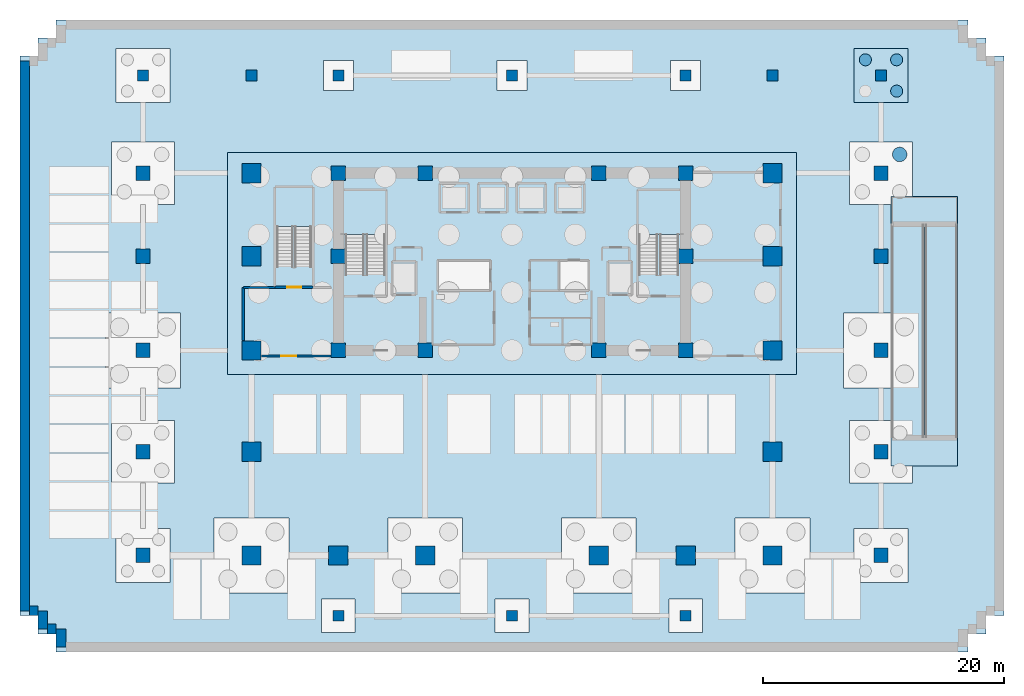
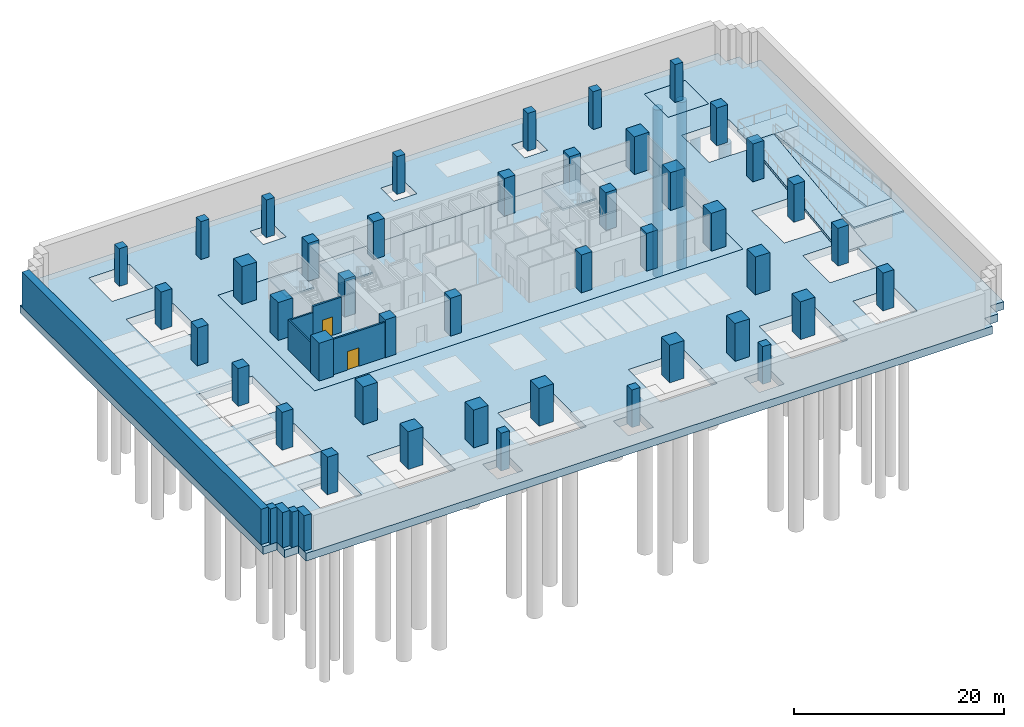
# One storey, part 2 of 13: 44 columns, 9 slabs, 9 walls, 4 piles, 2 doors, 1 footing, 2 openings, 3 elements without a shape of their own.
"""IFC4 building model written with IfcOpenShell, lengths in metres."""

import ifcopenshell
import ifcopenshell.guid

model = None  # the IFC model being written
_history = None  # IfcOwnerHistory: only IFC2X3 demands one
_inside = {}  # id of a spatial element -> (the spatial element, [elements in it])
_under = {}  # id of a project, library or spatial element -> (it, [spatial elements below it])
_declared = {}  # id of a project -> (the project, [libraries it declares])
_typed = {}  # id of a type object -> (the type object, [elements of that type])
_made_of = {}  # id of a material, layer set ... -> (it, [elements and type objects made of it])


def new_model(schema):
    """Start an empty IFC model of exactly this schema.

    Asked for "IFC4X3", IfcOpenShell would pick the latest addendum, in which some entities
    have other attributes; the version numbers below select the first issue.
    IFC2X3 requires an IfcOwnerHistory on every rooted entity: one is made here for all.
    """
    global model, _history
    if schema == "IFC4X3":
        model = ifcopenshell.file(schema_version=(4, 3, 0, 0))
    else:
        model = ifcopenshell.file(schema=schema)
    _inside.clear()
    _under.clear()
    _declared.clear()
    _typed.clear()
    _made_of.clear()
    _history = None
    if model.schema == "IFC2X3":
        org = make("IfcOrganization", Name="unknown")
        user = make(
            "IfcPersonAndOrganization",
            ThePerson=make("IfcPerson", FamilyName="unknown"),
            TheOrganization=org,
        )
        app = make(
            "IfcApplication",
            ApplicationDeveloper=org,
            Version="unknown",
            ApplicationFullName="unknown",
            ApplicationIdentifier="unknown",
        )
        _history = make(
            "IfcOwnerHistory",
            OwningUser=user,
            OwningApplication=app,
            ChangeAction="ADDED",
            CreationDate=0,
        )
    return model


def make(cls, **values):
    """One entity of the class cls with the attributes given. An attribute that is None is left unset."""
    return model.create_entity(
        cls, **{name: value for name, value in values.items() if value is not None}
    )


def rooted(cls, **values):
    """An entity with a GlobalId (a new one), such as an element, a storey or a relation."""
    return make(cls, GlobalId=ifcopenshell.guid.new(), OwnerHistory=_history, **values)


def si_unit(unit_type, name, prefix=None):
    """IfcSIUnit, for example si_unit("LENGTHUNIT", "METRE", prefix="MILLI")."""
    return make("IfcSIUnit", UnitType=unit_type, Prefix=prefix, Name=name)


def assignment(units):
    """IfcUnitAssignment: the units of a project."""
    return None if units is None else make("IfcUnitAssignment", Units=units)


def point(xyz):
    """IfcCartesianPoint."""
    return None if xyz is None else make("IfcCartesianPoint", Coordinates=xyz)


def direction(xyz):
    """IfcDirection."""
    return None if xyz is None else make("IfcDirection", DirectionRatios=xyz)


def frame(location, z_axis=None, x_axis=None):
    """IfcAxis2Placement3D, a coordinate frame: its origin and axes. An axis left out is left unset."""
    return make(
        "IfcAxis2Placement3D",
        Location=point(location),
        Axis=direction(z_axis),
        RefDirection=direction(x_axis),
    )


def frame_2d(location, x_axis=None):
    """IfcAxis2Placement2D, a coordinate frame in the plane: its origin and x axis."""
    return make(
        "IfcAxis2Placement2D", Location=point(location), RefDirection=direction(x_axis)
    )


def origin():
    """The frame at (0, 0, 0) with its axes left unset."""
    return frame((0.0, 0.0, 0.0))


def origin_2d():
    """The frame at (0, 0) in the plane with its x axis left unset."""
    return frame_2d((0.0, 0.0))


def place(relative_to, where):
    """IfcLocalPlacement: puts the frame where relative to a parent placement (None: the world)."""
    return make(
        "IfcLocalPlacement", PlacementRelTo=relative_to, RelativePlacement=where
    )


def context(
    kind, dimensions, precision=None, world=None, true_north=None, identifier=None
):
    """IfcGeometricRepresentationContext, for example the 3D "Model" context."""
    return make(
        "IfcGeometricRepresentationContext",
        ContextIdentifier=identifier,
        ContextType=kind,
        CoordinateSpaceDimension=dimensions,
        Precision=precision,
        WorldCoordinateSystem=world,
        TrueNorth=true_north,
    )


def subcontext(parent, identifier, kind, view, scale=None):
    """IfcGeometricRepresentationSubContext, for example "Body" below "Model"."""
    return make(
        "IfcGeometricRepresentationSubContext",
        ContextIdentifier=identifier,
        ContextType=kind,
        ParentContext=parent,
        TargetScale=scale,
        TargetView=view,
    )


def project(units=None, contexts=None):
    """IfcProject with its units and contexts."""
    return rooted(
        "IfcProject",
        Name="project",
        RepresentationContexts=contexts,
        UnitsInContext=assignment(units),
    )


def spatial(cls, under=None, at=None, **own):
    """A site, building, storey or space (cls), placed at a placement, below another one or the project."""
    s = rooted(cls, ObjectPlacement=at, **own)
    if under is not None:
        _under.setdefault(under.id(), (under, []))[1].append(s)
    return s


def polyline(points):
    """IfcPolyline through the points."""
    return make("IfcPolyline", Points=[point(p) for p in points])


def profile(cls, at=None, kind="AREA", **sizes):
    """A parametric profile (cls). Its sizes go by their IFC names, for example OverallWidth=200.0."""
    return make(cls, ProfileType=kind, Position=at, **sizes)


def rectangle(**sizes):
    """IfcRectangleProfileDef."""
    return profile("IfcRectangleProfileDef", **sizes)


def circle(**sizes):
    """IfcCircleProfileDef."""
    return profile("IfcCircleProfileDef", **sizes)


def outline(outer, holes=None, kind="AREA"):
    """IfcArbitraryClosedProfileDef: a profile drawn as a closed curve; with holes, ...WithVoids."""
    if holes is None:
        return make("IfcArbitraryClosedProfileDef", ProfileType=kind, OuterCurve=outer)
    return make(
        "IfcArbitraryProfileDefWithVoids",
        ProfileType=kind,
        OuterCurve=outer,
        InnerCurves=holes,
    )


def extrude(swept, where, along, depth):
    """IfcExtrudedAreaSolid: the profile swept, set in the frame where, extruded along a direction by depth."""
    return make(
        "IfcExtrudedAreaSolid",
        SweptArea=swept,
        Position=where,
        ExtrudedDirection=direction(along),
        Depth=depth,
    )


def shape(context_of_items, identifier, shape_type, items):
    """IfcShapeRepresentation: the items that make up one representation, for example the "Body"."""
    return make(
        "IfcShapeRepresentation",
        ContextOfItems=context_of_items,
        RepresentationIdentifier=identifier,
        RepresentationType=shape_type,
        Items=items,
    )


def source(mapping_origin, context_of_items, identifier, shape_type, items):
    """IfcRepresentationMap: a shape defined once, which mapped items show again and again."""
    return make(
        "IfcRepresentationMap",
        MappingOrigin=mapping_origin,
        MappedRepresentation=shape(context_of_items, identifier, shape_type, items),
    )


def transform(
    local_origin,
    x_axis=None,
    y_axis=None,
    z_axis=None,
    scale=None,
    scale2=None,
    scale3=None,
    uniform=True,
):
    """IfcCartesianTransformationOperator3D, or its non-uniform kind. x_axis, y_axis, z_axis: its Axis1, 2, 3."""
    if uniform:
        return make(
            "IfcCartesianTransformationOperator3D",
            Axis1=direction(x_axis),
            Axis2=direction(y_axis),
            LocalOrigin=point(local_origin),
            Scale=scale,
            Axis3=direction(z_axis),
        )
    return make(
        "IfcCartesianTransformationOperator3DnonUniform",
        Axis1=direction(x_axis),
        Axis2=direction(y_axis),
        LocalOrigin=point(local_origin),
        Scale=scale,
        Axis3=direction(z_axis),
        Scale2=scale2,
        Scale3=scale3,
    )


def mapped(mapping_source, mapping_target):
    """IfcMappedItem: shows the shape of a source again, moved by a transform."""
    return make(
        "IfcMappedItem", MappingSource=mapping_source, MappingTarget=mapping_target
    )


def material(Name=None, Category=None):
    """IfcMaterial."""
    return make("IfcMaterial", Name=Name, Category=Category)


def layer(
    of_material, thickness, ventilated=None, Name=None, Category=None, Priority=None
):
    """IfcMaterialLayer: one layer of a wall or slab, of a material (None: an air gap)."""
    return make(
        "IfcMaterialLayer",
        Material=of_material,
        LayerThickness=thickness,
        IsVentilated=ventilated,
        Name=Name,
        Category=Category,
        Priority=Priority,
    )


def layer_set(layers, Name=None):
    """IfcMaterialLayerSet."""
    return make("IfcMaterialLayerSet", MaterialLayers=layers, LayerSetName=Name)


def material_profile(
    of_material, cross_section, Name=None, Category=None, Priority=None
):
    """IfcMaterialProfile: a cross section and its material."""
    return make(
        "IfcMaterialProfile",
        Name=Name,
        Material=of_material,
        Profile=cross_section,
        Priority=Priority,
        Category=Category,
    )


def profile_set(profiles, Name=None, composite=None):
    """IfcMaterialProfileSet."""
    return make(
        "IfcMaterialProfileSet",
        Name=Name,
        MaterialProfiles=profiles,
        CompositeProfile=composite,
    )


def made_of(thing, what):
    """Note that an element or type object is made of a material, layer set ...; save() writes the relation."""
    if what is not None:
        _made_of.setdefault(what.id(), (what, []))[1].append(thing)
    return thing


def type_object(cls, material=None, **own):
    """A type object (cls), such as IfcWallType, which elements share."""
    return made_of(rooted(cls, **own), material)


def element(
    cls,
    number,
    at=None,
    inside=None,
    cuts=None,
    type_object=None,
    material=None,
    context=None,
    identifier="Body",
    shape_type=None,
    held_by="IfcProductDefinitionShape",
    body=None,
    shapes=None,
    **own,
):
    """One element of the class cls, such as IfcWall. Its Tag is "e" and its number.

    at: its placement. inside: the storey or other place that contains it. cuts: it is an
    opening in that element (IfcRelVoidsElement). A single representation is given by context,
    identifier, shape_type and body (its items); several are given by shapes. held_by: the class
    of the entity that holds the representations. save() writes the other relations.
    """
    e = rooted(cls, Tag="e%d" % number, ObjectPlacement=at, **own)
    if body is not None:
        shapes = [shape(context, identifier, shape_type, body)]
    if shapes is not None:
        e.Representation = make(held_by, Representations=shapes)
    if inside is not None:
        _inside.setdefault(inside.id(), (inside, []))[1].append(e)
    if cuts is not None:
        rooted(
            "IfcRelVoidsElement", RelatingBuildingElement=cuts, RelatedOpeningElement=e
        )
    if type_object is not None:
        _typed.setdefault(type_object.id(), (type_object, []))[1].append(e)
    return made_of(e, material)


def fill(opening, filler):
    """IfcRelFillsElement: the door or window that sits in an opening."""
    return rooted(
        "IfcRelFillsElement",
        RelatingOpeningElement=opening,
        RelatedBuildingElement=filler,
    )


def aggregate(whole, parts):
    """IfcRelAggregates: a whole, such as a stair, and the parts it consists of."""
    return rooted("IfcRelAggregates", RelatingObject=whole, RelatedObjects=parts)


def save(model, path):
    """Write the relations noted so far, then the file.

    IfcRelAggregates (storeys below a building ...), IfcRelContainedInSpatialStructure (elements
    in a storey), IfcRelDefinesByType, IfcRelAssociatesMaterial and IfcRelDeclares: one each for
    every whole, place, type object, material and project.
    """
    for whole, parts in _under.values():
        aggregate(whole, parts)
    for where, things in _inside.values():
        rooted(
            "IfcRelContainedInSpatialStructure",
            RelatedElements=things,
            RelatingStructure=where,
        )
    for kind, things in _typed.values():
        rooted("IfcRelDefinesByType", RelatedObjects=things, RelatingType=kind)
    for what, things in _made_of.values():
        rooted("IfcRelAssociatesMaterial", RelatedObjects=things, RelatingMaterial=what)
    for by, libraries in _declared.values():
        rooted("IfcRelDeclares", RelatingContext=by, RelatedDefinitions=libraries)
    model.write(path)


model = new_model("IFC4")

# Units and contexts
model_context = context("Model", 3, precision=1e-05, world=origin(), true_north=direction((0.0, 1.0)))
body_context = subcontext(model_context, "Body", "Model", "MODEL_VIEW")
ifc_project = project(units=[si_unit("LENGTHUNIT", "METRE"), si_unit("AREAUNIT", "SQUARE_METRE"), si_unit("VOLUMEUNIT", "CUBIC_METRE"), si_unit("PLANEANGLEUNIT", "RADIAN"), si_unit("MASSUNIT", "GRAM", prefix="KILO")], contexts=[model_context])

# Site, building, storey
site_placement = place(None, origin())
site = spatial("IfcSite", under=ifc_project, at=site_placement, CompositionType="ELEMENT")
building_placement = place(site_placement, origin())
building = spatial("IfcBuilding", under=site, at=building_placement, Name="Zarnakvel Exchange Tower", CompositionType="ELEMENT")
storey_placement = place(building_placement, frame((0.0, 0.0, -13.199951171875)))
storey = spatial("IfcBuildingStorey", under=building, at=storey_placement, Name="B03", CompositionType="ELEMENT", Elevation=-13.199951171875)

# Piles
ifc_material_1 = material(Name="Concrete C50/60", Category="concrete")
ifc_material_profile_1 = material_profile(ifc_material_1, circle(Radius=0.60009765625, at=origin_2d()))
ifc_profile_set_1 = profile_set([ifc_material_profile_1], Name="Concrete C50/60")
pile_type_1 = type_object("IfcPileType", Name="P-03", PredefinedType="BORED", material=ifc_profile_set_1)
pile_placement = place(storey_placement, frame((32.14990234375, 15.050048828125, -1.5), z_axis=(0.0, 0.0, -1.0), x_axis=(1.0, 0.0, 0.0)))
element("IfcPile", 1, at=pile_placement, inside=storey, type_object=pile_type_1, Name="Bored Pile PILE-CAP-10-4 (P-03)", PredefinedType="BORED", context=body_context, shape_type="SweptSolid", body=[
    extrude(circle(Radius=0.60009765625, at=origin_2d()), origin(), (0.0, 0.0, 1.0), 19.300048828125),
])
ifc_material_profile_2 = material_profile(ifc_material_1, circle(Radius=0.5, at=origin_2d()))
ifc_profile_set_2 = profile_set([ifc_material_profile_2], Name="Concrete C50/60")
pile_type_2 = type_object("IfcPileType", Name="P-04", PredefinedType="BORED", material=ifc_profile_set_2)
for number, where, z_axis, x_axis, name in (
    (2, (29.300048828125, 22.89990234375, -1.300048828125), (0.0, 0.0, -1.0), (1.0, 0.0, 0.0), "Bored Pile PILE-CAP-14-2 (P-04)"),
    (3, (31.89990234375, 20.300048828125, -1.300048828125), (0.0, 0.0, -1.0), (1.0, 0.0, 0.0), "Bored Pile PILE-CAP-14-3 (P-04)"),
    (4, (31.89990234375, 22.89990234375, -1.300048828125), (0.0, 0.0, -1.0), (1.0, 0.0, 0.0), "Bored Pile PILE-CAP-14-4 (P-04)"),
):
    element("IfcPile", number, at=place(storey_placement, frame(where, z_axis=z_axis, x_axis=x_axis)), inside=storey, type_object=pile_type_2, Name=name, PredefinedType="BORED", context=body_context, shape_type="SweptSolid", body=[
        extrude(circle(Radius=0.5, at=origin_2d()), origin(), (0.0, 0.0, 1.0), 19.5),
    ])

# Footing
footing_type = type_object("IfcFootingType", Name="PC-06", PredefinedType="PILE_CAP", material=ifc_material_1)
shared_shape_1 = source(origin(), body_context, "Body", "SweptSolid", [
    extrude(rectangle(XDim=4.5, YDim=4.5, at=origin_2d()), origin(), (0.0, 0.0, 1.0), 1.39990234375),
])
footing_placement = place(storey_placement, frame((30.60009765625, 21.60009765625, -1.39990234375), z_axis=(0.0, 0.0, 1.0), x_axis=(1.0, 0.0, 0.0)))
element("IfcFooting", 5, at=footing_placement, inside=storey, type_object=footing_type, Name="B03 Pile Cap CAP-14 (PC-06)", PredefinedType="PILE_CAP", context=body_context, shape_type="MappedRepresentation", body=[
    mapped(shared_shape_1, transform((0.0, 0.0, 0.0), x_axis=(1.0, 0.0, 0.0), y_axis=(0.0, 1.0, 0.0), z_axis=(0.0, 0.0, 1.0), scale=1.0)),
])

# Columns
ifc_material_2 = material(Name="Concrete C80/95", Category="concrete")
ifc_material_profile_3 = material_profile(ifc_material_2, rectangle(XDim=1.199951171875, YDim=1.199951171875, at=origin_2d()))
ifc_profile_set_3 = profile_set([ifc_material_profile_3], Name="Concrete C80/95")
column_type_1 = type_object("IfcColumnType", Name="CC-01", PredefinedType="COLUMN", material=ifc_profile_set_3)
for number, where, z_axis, x_axis, name in (
    (6, (-14.39990234375, -1.199951171875, 0.0), (0.0, 0.0, 1.0), (1.0, 0.0, 0.0), "B03 Column C-4D (CC-01)"),
    (7, (-7.199951171875, -1.199951171875, 0.0), (0.0, 0.0, 1.0), (1.0, 0.0, 0.0), "B03 Column C-5D (CC-01)"),
    (8, (7.199951171875, -1.199951171875, 0.0), (0.0, 0.0, 1.0), (1.0, 0.0, 0.0), "B03 Column C-8D (CC-01)"),
    (9, (14.39990234375, -1.199951171875, 0.0), (0.0, 0.0, 1.0), (1.0, 0.0, 0.0), "B03 Column C-9D (CC-01)"),
    (10, (-14.39990234375, 6.60009765625, 0.0), (0.0, 0.0, 1.0), (1.0, 0.0, 0.0), "B03 Column C-4E (CC-01)"),
    (11, (14.39990234375, 6.60009765625, 0.0), (0.0, 0.0, 1.0), (1.0, 0.0, 0.0), "B03 Column C-9E (CC-01)"),
    (12, (-14.39990234375, 13.5, 0.0), (0.0, 0.0, 1.0), (1.0, 0.0, 0.0), "B03 Column C-4F (CC-01)"),
    (13, (-7.199951171875, 13.5, 0.0), (0.0, 0.0, 1.0), (1.0, 0.0, 0.0), "B03 Column C-5F (CC-01)"),
    (14, (7.199951171875, 13.5, 0.0), (0.0, 0.0, 1.0), (1.0, 0.0, 0.0), "B03 Column C-8F (CC-01)"),
    (15, (14.39990234375, 13.5, 0.0), (0.0, 0.0, 1.0), (1.0, 0.0, 0.0), "B03 Column C-9F (CC-01)"),
):
    element("IfcColumn", number, at=place(storey_placement, frame(where, z_axis=z_axis, x_axis=x_axis)), inside=storey, type_object=column_type_1, Name=name, PredefinedType="COLUMN", context=body_context, shape_type="SweptSolid", body=[
        extrude(rectangle(XDim=1.199951171875, YDim=1.199951171875, at=origin_2d()), origin(), (0.0, 0.0, 1.0), 4.39990234375),
    ])
ifc_material_profile_4 = material_profile(ifc_material_2, rectangle(XDim=1.60009765625, YDim=1.60009765625, at=origin_2d()))
ifc_profile_set_4 = profile_set([ifc_material_profile_4], Name="Concrete C80/95")
column_type_2 = type_object("IfcColumnType", Name="MC-01", PredefinedType="COLUMN", material=ifc_profile_set_4)
for number, where, z_axis, x_axis, name in (
    (16, (-21.60009765625, -18.199951171875, 0.0), (0.0, 0.0, 1.0), (1.0, 0.0, 0.0), "B03 Column M-3B (MC-01)"),
    (17, (-14.39990234375, -18.199951171875, 0.0), (0.0, 0.0, 1.0), (1.0, 0.0, 0.0), "B03 Column M-4B (MC-01)"),
    (18, (-7.199951171875, -18.199951171875, 0.0), (0.0, 0.0, 1.0), (1.0, 0.0, 0.0), "B03 Column M-5B (MC-01)"),
    (19, (7.199951171875, -18.199951171875, 0.0), (0.0, 0.0, 1.0), (1.0, 0.0, 0.0), "B03 Column M-8B (MC-01)"),
    (20, (14.39990234375, -18.199951171875, 0.0), (0.0, 0.0, 1.0), (1.0, 0.0, 0.0), "B03 Column M-9B (MC-01)"),
    (21, (21.60009765625, -18.199951171875, 0.0), (0.0, 0.0, 1.0), (1.0, 0.0, 0.0), "B03 Column M-10B (MC-01)"),
    (22, (-21.60009765625, -9.60009765625, 0.0), (0.0, 0.0, 1.0), (1.0, 0.0, 0.0), "B03 Column M-3C (MC-01)"),
    (23, (21.60009765625, -9.60009765625, 0.0), (0.0, 0.0, 1.0), (1.0, 0.0, 0.0), "B03 Column M-10C (MC-01)"),
    (24, (-21.60009765625, -1.199951171875, 0.0), (0.0, 0.0, 1.0), (1.0, 0.0, 0.0), "B03 Column M-3D (MC-01)"),
    (25, (21.60009765625, -1.199951171875, 0.0), (0.0, 0.0, 1.0), (1.0, 0.0, 0.0), "B03 Column M-10D (MC-01)"),
    (26, (-21.60009765625, 6.60009765625, 0.0), (0.0, 0.0, 1.0), (1.0, 0.0, 0.0), "B03 Column M-3E (MC-01)"),
    (27, (21.60009765625, 6.60009765625, 0.0), (0.0, 0.0, 1.0), (1.0, 0.0, 0.0), "B03 Column M-10E (MC-01)"),
    (28, (-21.60009765625, 13.5, 0.0), (0.0, 0.0, 1.0), (1.0, 0.0, 0.0), "B03 Column M-3F (MC-01)"),
    (29, (21.60009765625, 13.5, 0.0), (0.0, 0.0, 1.0), (1.0, 0.0, 0.0), "B03 Column M-10F (MC-01)"),
):
    element("IfcColumn", number, at=place(storey_placement, frame(where, z_axis=z_axis, x_axis=x_axis)), inside=storey, type_object=column_type_2, Name=name, PredefinedType="COLUMN", context=body_context, shape_type="SweptSolid", body=[
        extrude(rectangle(XDim=1.60009765625, YDim=1.60009765625, at=origin_2d()), origin(), (0.0, 0.0, 1.0), 4.39990234375),
    ])
ifc_material_profile_5 = material_profile(ifc_material_2, rectangle(XDim=1.199951171875, YDim=1.199951171875, at=origin_2d()))
ifc_profile_set_5 = profile_set([ifc_material_profile_5], Name="Concrete C80/95")
column_type_3 = type_object("IfcColumnType", Name="MC-03", PredefinedType="COLUMN", material=ifc_profile_set_5)
for number, where, z_axis, x_axis, name in (
    (30, (-30.60009765625, -18.199951171875, 0.0), (0.0, 0.0, 1.0), (1.0, 0.0, 0.0), "B03 Column W-2B (MC-03)"),
    (31, (-30.60009765625, -9.60009765625, 0.0), (0.0, 0.0, 1.0), (1.0, 0.0, 0.0), "B03 Column W-2C (MC-03)"),
    (32, (-30.60009765625, -1.199951171875, 0.0), (0.0, 0.0, 1.0), (1.0, 0.0, 0.0), "B03 Column W-2D (MC-03)"),
    (33, (-30.60009765625, 6.60009765625, 0.0), (0.0, 0.0, 1.0), (1.0, 0.0, 0.0), "B03 Column W-2E (MC-03)"),
    (34, (-30.60009765625, 13.5, 0.0), (0.0, 0.0, 1.0), (1.0, 0.0, 0.0), "B03 Column W-2F (MC-03)"),
    (35, (30.60009765625, -18.199951171875, 0.0), (0.0, 0.0, 1.0), (1.0, 0.0, 0.0), "B03 Column W-11B (MC-03)"),
    (36, (30.60009765625, -9.60009765625, 0.0), (0.0, 0.0, 1.0), (1.0, 0.0, 0.0), "B03 Column W-11C (MC-03)"),
    (37, (30.60009765625, -1.199951171875, 0.0), (0.0, 0.0, 1.0), (1.0, 0.0, 0.0), "B03 Column W-11D (MC-03)"),
    (38, (30.60009765625, 6.60009765625, 0.0), (0.0, 0.0, 1.0), (1.0, 0.0, 0.0), "B03 Column W-11E (MC-03)"),
    (39, (30.60009765625, 13.5, 0.0), (0.0, 0.0, 1.0), (1.0, 0.0, 0.0), "B03 Column W-11F (MC-03)"),
):
    element("IfcColumn", number, at=place(storey_placement, frame(where, z_axis=z_axis, x_axis=x_axis)), inside=storey, type_object=column_type_3, Name=name, PredefinedType="COLUMN", context=body_context, shape_type="SweptSolid", body=[
        extrude(rectangle(XDim=1.199951171875, YDim=1.199951171875, at=origin_2d()), origin(), (0.0, 0.0, 1.0), 4.39990234375),
    ])
ifc_material_profile_6 = material_profile(ifc_material_1, rectangle(XDim=0.89990234375, YDim=0.89990234375, at=origin_2d()))
ifc_profile_set_6 = profile_set([ifc_material_profile_6], Name="Concrete C50/60")
column_type_4 = type_object("IfcColumnType", Name="MC-04", PredefinedType="COLUMN", material=ifc_profile_set_6)
for number, where, z_axis, x_axis, name in (
    (40, (-30.60009765625, 21.60009765625, 0.0), (0.0, 0.0, 1.0), (1.0, 0.0, 0.0), "B03 Column P-2G (MC-04)"),
    (41, (30.60009765625, 21.60009765625, 0.0), (0.0, 0.0, 1.0), (1.0, 0.0, 0.0), "B03 Column P-11G (MC-04)"),
    (42, (-21.60009765625, 21.60009765625, 0.0), (0.0, 0.0, 1.0), (1.0, 0.0, 0.0), "B03 Column P-3G (MC-04)"),
    (43, (21.60009765625, 21.60009765625, 0.0), (0.0, 0.0, 1.0), (1.0, 0.0, 0.0), "B03 Column P-10G (MC-04)"),
    (44, (-14.39990234375, -23.199951171875, 0.0), (0.0, 0.0, 1.0), (1.0, 0.0, 0.0), "B03 Column P-4A (MC-04)"),
    (45, (0.0, -23.199951171875, 0.0), (0.0, 0.0, 1.0), (1.0, 0.0, 0.0), "B03 Column P-65A (MC-04)"),
    (46, (14.39990234375, -23.199951171875, 0.0), (0.0, 0.0, 1.0), (1.0, 0.0, 0.0), "B03 Column P-9A (MC-04)"),
    (47, (-14.39990234375, 21.60009765625, 0.0), (0.0, 0.0, 1.0), (1.0, 0.0, 0.0), "B03 Column P-4G (MC-04)"),
    (48, (0.0, 21.60009765625, 0.0), (0.0, 0.0, 1.0), (1.0, 0.0, 0.0), "B03 Column P-65G (MC-04)"),
    (49, (14.39990234375, 21.60009765625, 0.0), (0.0, 0.0, 1.0), (1.0, 0.0, 0.0), "B03 Column P-9G (MC-04)"),
):
    element("IfcColumn", number, at=place(storey_placement, frame(where, z_axis=z_axis, x_axis=x_axis)), inside=storey, type_object=column_type_4, Name=name, PredefinedType="COLUMN", context=body_context, shape_type="SweptSolid", body=[
        extrude(rectangle(XDim=0.89990234375, YDim=0.89990234375, at=origin_2d()), origin(), (0.0, 0.0, 1.0), 4.39990234375),
    ])

# Slab
ifc_layer_1 = layer(ifc_material_1, 0.89990234375)
ifc_layer_set_1 = layer_set([ifc_layer_1], Name="Concrete C50/60")
slab_type_1 = type_object("IfcSlabType", Name="BS-01", PredefinedType="BASESLAB", material=ifc_layer_set_1)
slab_1_placement = place(storey_placement, frame((0.0, 0.0, -0.900146484375)))
element("IfcSlab", 50, at=slab_1_placement, inside=storey, type_object=slab_type_1, Name="B03 Substructure Base Slab SLAB-B03-BS01", PredefinedType="BASESLAB", context=body_context, shape_type="SweptSolid", body=[
    extrude(outline(polyline([(-40.800048828125, 23.199951171875), (-39.300048828125, 23.199951171875), (-39.300048828125, 24.699951171875), (-37.800048828125, 24.699951171875), (-37.800048828125, 26.199951171875), (37.800048828125, 26.199951171875), (37.800048828125, 24.699951171875), (39.300048828125, 24.699951171875), (39.300048828125, 23.199951171875), (40.800048828125, 23.199951171875), (40.800048828125, -23.199951171875), (39.300048828125, -23.199951171875), (39.300048828125, -24.699951171875), (37.800048828125, -24.699951171875), (37.800048828125, -26.199951171875), (-37.800048828125, -26.199951171875), (-37.800048828125, -24.699951171875), (-39.300048828125, -24.699951171875), (-39.300048828125, -23.199951171875), (-40.800048828125, -23.199951171875), (-40.800048828125, 23.199951171875)]), holes=[polyline([(-13.0, -21.800048828125), (-15.800048828125, -21.800048828125), (-15.800048828125, -24.60009765625), (-13.0, -24.60009765625), (-13.0, -21.800048828125)]), polyline([(1.39990234375, -21.800048828125), (-1.39990234375, -21.800048828125), (-1.39990234375, -24.60009765625), (1.39990234375, -24.60009765625), (1.39990234375, -21.800048828125)]), polyline([(-28.35009765625, -15.949951171875), (-32.85009765625, -15.949951171875), (-32.85009765625, -20.449951171875), (-28.35009765625, -20.449951171875), (-28.35009765625, -15.949951171875)]), polyline([(-18.5, -21.300048828125), (-18.5, -15.10009765625), (-24.699951171875, -15.10009765625), (-24.699951171875, -21.300048828125), (-18.5, -21.300048828125)]), polyline([(-4.10009765625, -21.300048828125), (-4.10009765625, -15.10009765625), (-10.300048828125, -15.10009765625), (-10.300048828125, -21.300048828125), (-4.10009765625, -21.300048828125)]), polyline([(-28.0, -7.0), (-33.199951171875, -7.0), (-33.199951171875, -12.199951171875), (-28.0, -12.199951171875), (-28.0, -7.0)]), polyline([(-27.5, -4.300048828125), (-27.5, 1.89990234375), (-33.699951171875, 1.89990234375), (-33.699951171875, -4.300048828125), (-27.5, -4.300048828125)]), polyline([(23.60009765625, -3.199951171875), (23.60009765625, 15.199951171875), (-23.60009765625, 15.199951171875), (-23.60009765625, -3.199951171875), (23.60009765625, -3.199951171875)]), polyline([(-28.0, 16.10009765625), (-33.199951171875, 16.10009765625), (-33.199951171875, 10.89990234375), (-28.0, 10.89990234375), (-28.0, 16.10009765625)]), polyline([(-28.35009765625, 19.35009765625), (-28.35009765625, 23.85009765625), (-32.85009765625, 23.85009765625), (-32.85009765625, 19.35009765625), (-28.35009765625, 19.35009765625)]), polyline([(-13.14990234375, 20.35009765625), (-13.14990234375, 22.85009765625), (-15.64990234375, 22.85009765625), (-15.64990234375, 20.35009765625), (-13.14990234375, 20.35009765625)]), polyline([(15.800048828125, -21.800048828125), (13.0, -21.800048828125), (13.0, -24.60009765625), (15.800048828125, -24.60009765625), (15.800048828125, -21.800048828125)]), polyline([(10.300048828125, -15.10009765625), (4.10009765625, -15.10009765625), (4.10009765625, -21.300048828125), (10.300048828125, -21.300048828125), (10.300048828125, -15.10009765625)]), polyline([(24.699951171875, -15.10009765625), (18.5, -15.10009765625), (18.5, -21.300048828125), (24.699951171875, -21.300048828125), (24.699951171875, -15.10009765625)]), polyline([(32.85009765625, -20.449951171875), (32.85009765625, -15.949951171875), (28.35009765625, -15.949951171875), (28.35009765625, -20.449951171875), (32.85009765625, -20.449951171875)]), polyline([(33.199951171875, -12.199951171875), (33.199951171875, -8.449951171875), (34.179931640625, -8.449951171875), (34.179931640625, -5.85009765625), (31.419921875, -5.85009765625), (31.419921875, -7.0), (28.0, -7.0), (28.0, -12.199951171875), (33.199951171875, -12.199951171875)]), polyline([(33.699951171875, -4.300048828125), (33.699951171875, 1.89990234375), (27.5, 1.89990234375), (27.5, -4.300048828125), (33.699951171875, -4.300048828125)]), polyline([(33.199951171875, 10.89990234375), (33.199951171875, 16.10009765625), (28.0, 16.10009765625), (28.0, 10.89990234375), (33.199951171875, 10.89990234375)]), polyline([(1.25, 22.85009765625), (-1.25, 22.85009765625), (-1.25, 20.35009765625), (1.25, 20.35009765625), (1.25, 22.85009765625)]), polyline([(15.64990234375, 20.35009765625), (15.64990234375, 22.85009765625), (13.14990234375, 22.85009765625), (13.14990234375, 20.35009765625), (15.64990234375, 20.35009765625)]), polyline([(32.85009765625, 19.35009765625), (32.85009765625, 23.85009765625), (28.35009765625, 23.85009765625), (28.35009765625, 19.35009765625), (32.85009765625, 19.35009765625)])]), origin(), (0.0, 0.0, 1.0), 0.900146484375),
])

# Stair, slab
ifc_material_3 = material(Name="Concrete C40/50", Category="concrete")
stair_type_1 = type_object("IfcStairType", Name="STR-01", PredefinedType="HALF_TURN_STAIR", material=ifc_material_3)
stair_1_placement = place(storey_placement, origin())
stair_1 = element("IfcStair", 51, at=stair_1_placement, inside=storey, type_object=stair_type_1, Name="B03 Protected Core Exit Stair ST-01", PredefinedType="HALF_TURN_STAIR")
ifc_layer_2 = layer(ifc_material_3, 0.199951171875)
ifc_layer_set_2 = layer_set([ifc_layer_2], Name="Concrete C40/50")
slab_type_2 = type_object("IfcSlabType", Name="LDG-01", PredefinedType="LANDING", material=ifc_layer_set_2)
slab_2_placement = place(storey_placement, frame((0.0, 0.0, 2.0)))
slab_2 = element("IfcSlab", 52, at=slab_2_placement, type_object=slab_type_2, Name="ST-01 landing 1", PredefinedType="LANDING", context=body_context, shape_type="SweptSolid", body=[
    extrude(outline(polyline([(-14.18994140625, 8.409912109375), (-10.4599609375, 8.409912109375), (-10.4599609375, 12.080078125), (-14.18994140625, 12.080078125), (-14.18994140625, 8.409912109375)])), origin(), (0.0, 0.0, 1.0), 0.199951171875),
])
aggregate(stair_1, [slab_2])

stair_2_placement = place(storey_placement, origin())
stair_2 = element("IfcStair", 53, at=stair_2_placement, inside=storey, type_object=stair_type_1, Name="B03 Protected Core Exit Stair ST-02", PredefinedType="HALF_TURN_STAIR")
slab_3_placement = place(storey_placement, frame((0.0, 0.0, 2.0)))
slab_3 = element("IfcSlab", 54, at=slab_3_placement, type_object=slab_type_2, Name="ST-02 landing 1", PredefinedType="LANDING", context=body_context, shape_type="SweptSolid", body=[
    extrude(outline(polyline([(10.4599609375, 8.409912109375), (14.18994140625, 8.409912109375), (14.18994140625, 12.080078125), (10.4599609375, 12.080078125), (10.4599609375, 8.409912109375)])), origin(), (0.0, 0.0, 1.0), 0.199951171875),
])
aggregate(stair_2, [slab_3])

stair_type_2 = type_object("IfcStairType", Name="STR-03", PredefinedType="HALF_TURN_STAIR", material=ifc_material_3)
stair_3_placement = place(storey_placement, origin())
stair_3 = element("IfcStair", 55, at=stair_3_placement, inside=storey, type_object=stair_type_2, Name="B03 Substructure Car Park Exit Stair ST-05", PredefinedType="HALF_TURN_STAIR")
slab_4_placement = place(storey_placement, frame((0.0, 0.0, 2.0)))
slab_4 = element("IfcSlab", 56, at=slab_4_placement, type_object=slab_type_2, Name="ST-05 landing 1", PredefinedType="LANDING", context=body_context, shape_type="SweptSolid", body=[
    extrude(outline(polyline([(-19.60009765625, 9.06005859375), (-16.5400390625, 9.06005859375), (-16.5400390625, 12.300048828125), (-19.60009765625, 12.300048828125), (-19.60009765625, 9.06005859375)])), origin(), (0.0, 0.0, 1.0), 0.199951171875),
])
aggregate(stair_3, [slab_4])

# Slabs
slab_5_placement = place(storey_placement, frame((0.0, 0.0, 2.0)))
element("IfcSlab", 57, at=slab_5_placement, inside=storey, type_object=slab_type_2, Name="B03 Car Park Vehicular Ramp R-01 Mid Landing", PredefinedType="LANDING", context=body_context, shape_type="SweptSolid", body=[
    extrude(outline(polyline([(31.449951171875, 9.199951171875), (36.949951171875, 9.199951171875), (36.949951171875, 11.550048828125), (31.449951171875, 11.550048828125), (31.449951171875, 9.199951171875)])), origin(), (0.0, 0.0, 1.0), 0.199951171875),
])
slab_6_placement = place(storey_placement, frame((0.0, 0.0, 4.199951171875)))
element("IfcSlab", 58, at=slab_6_placement, inside=storey, type_object=slab_type_2, Name="B03 Car Park Vehicular Ramp R-01 Top Landing", PredefinedType="LANDING", context=body_context, shape_type="SweptSolid", body=[
    extrude(outline(polyline([(31.449951171875, -10.780029296875), (36.949951171875, -10.780029296875), (36.949951171875, -8.39990234375), (31.449951171875, -8.39990234375), (31.449951171875, -10.780029296875)])), origin(), (0.0, 0.0, 1.0), 0.199951171875),
])
ifc_layer_3 = layer(ifc_material_1, 2.39990234375)
ifc_layer_set_3 = layer_set([ifc_layer_3], Name="Concrete C50/60")
slab_type_3 = type_object("IfcSlabType", Name="RF-01", PredefinedType="BASESLAB", material=ifc_layer_set_3)
slab_7_placement = place(storey_placement, frame((0.0, 0.0, -2.400146484375)))
element("IfcSlab", 59, at=slab_7_placement, inside=storey, type_object=slab_type_3, Name="B03 Core Piled-Raft Foundation Mat RF-01", PredefinedType="BASESLAB", context=body_context, shape_type="SweptSolid", body=[
    extrude(outline(polyline([(-23.60009765625, -3.199951171875), (23.60009765625, -3.199951171875), (23.60009765625, 15.199951171875), (-23.60009765625, 15.199951171875), (-23.60009765625, -3.199951171875)])), origin(), (0.0, 0.0, 1.0), 2.400146484375),
])
ifc_layer_4 = layer(ifc_material_3, 0.300048828125)
ifc_layer_set_4 = layer_set([ifc_layer_4], Name="Concrete C40/50")
slab_type_4 = type_object("IfcSlabType", Name="RSL-01", PredefinedType="BASESLAB", material=ifc_layer_set_4)
slab_8_placement = place(storey_placement, frame((31.449951171875, -8.39990234375, 0.0), z_axis=(0.0, -0.124033040481, 0.992278088476), x_axis=(1.0, 0.0, 0.0)))
element("IfcSlab", 60, at=slab_8_placement, inside=storey, type_object=slab_type_4, Name="B03 Car Park Vehicular Ramp R-01 Slab 1", PredefinedType="BASESLAB", context=body_context, shape_type="SweptSolid", body=[
    extrude(outline(polyline([(0.0, 0.0), (2.699951171875, 0.0), (2.699951171875, 17.73681640625), (0.0, 17.73681640625), (0.0, 0.0)])), origin(), (0.0, 0.0, -1.0), 0.300048828125),
])
slab_9_placement = place(storey_placement, frame((34.25, 9.199951171875, 2.199951171875), z_axis=(0.0, 0.124033040481, 0.992278088476), x_axis=(1.0, 0.0, 0.0)))
element("IfcSlab", 61, at=slab_9_placement, inside=storey, type_object=slab_type_4, Name="B03 Car Park Vehicular Ramp R-01 Slab 2", PredefinedType="BASESLAB", context=body_context, shape_type="SweptSolid", body=[
    extrude(outline(polyline([(0.0, 0.0), (2.699951171875, 0.0), (2.699951171875, -17.73681640625), (0.0, -17.73681640625), (0.0, 0.0)])), origin(), (0.0, 0.0, -1.0), 0.300048828125),
])

# Wall, opening, door
ifc_material_4 = material(Name="Fire-Rated Gypsum Stud Partition", Category="gypsum")
ifc_layer_5 = layer(ifc_material_4, 0.179931640625)
ifc_layer_set_5 = layer_set([ifc_layer_5], Name="Fire-Rated Gypsum Stud Partition")
wall_type_1 = type_object("IfcWallType", Name="PT-02", PredefinedType="PARTITIONING", material=ifc_layer_set_5)
wall_1_placement = place(storey_placement, frame((-15.02001953125, -1.669921875, 0.0), z_axis=(0.0, 0.0, 1.0), x_axis=(-1.0, 0.0, 0.0)))
wall_1 = element("IfcWall", 62, at=wall_1_placement, inside=storey, type_object=wall_type_1, Name="B03 Partition Wall PWALL-B03-039 (PT-02)", PredefinedType="PARTITIONING", context=body_context, shape_type="SweptSolid", body=[
    extrude(rectangle(XDim=5.760009765625, YDim=0.179931640625, at=frame_2d((2.8798828125, 0.0))), origin(), (0.0, 0.0, 1.0), 4.119873046875),
])
opening_1_placement = place(wall_1_placement, frame((2.85498046875, 0.0, 0.0)))
opening_1 = element("IfcOpeningElement", 63, at=opening_1_placement, cuts=wall_1, Name="Opening D-B03-13", PredefinedType="OPENING", context=body_context, shape_type="SweptSolid", body=[
    extrude(rectangle(XDim=1.25, YDim=2.14990234375, at=frame_2d((0.625, 1.074951171875))), frame((0.0, 0.099853515625, 0.0), z_axis=(0.0, -1.0, 0.0), x_axis=(1.0, 0.0, 0.0)), (0.0, 0.0, 1.0), 0.199951171875),
])
ifc_material_5 = material(Name="Painted Galvanised Steel S355", Category="steel")
door_type_1 = type_object("IfcDoorType", Name="DT-06", OperationType="NOTDEFINED", PredefinedType="DOOR", material=ifc_material_5)
shared_shape_2 = source(origin(), body_context, "Body", "SweptSolid", [
    extrude(rectangle(XDim=1.25, YDim=2.14990234375, at=frame_2d((0.625, 1.074951171875))), frame((0.0, 0.02490234375, 0.0), z_axis=(0.0, -1.0, 0.0), x_axis=(1.0, 0.0, 0.0)), (0.0, 0.0, 1.0), 0.050048828125),
])
door_1_placement = place(opening_1_placement, origin())
door_1 = element("IfcDoor", 64, at=door_1_placement, inside=storey, type_object=door_type_1, Name="B03 District Chiller Plant Room Door D-B03-13", OperationType="SINGLE_SWING_RIGHT", OverallHeight=2.14990234375, OverallWidth=1.25, PredefinedType="DOOR", context=body_context, shape_type="MappedRepresentation", body=[
    mapped(shared_shape_2, transform((0.0, 0.0, 0.0), x_axis=(1.0, 0.0, 0.0), y_axis=(0.0, 1.0, 0.0), z_axis=(0.0, 0.0, 1.0), scale=1.0)),
])
fill(opening_1, door_1)

# Walls
wall_2_placement = place(storey_placement, frame((-22.280029296875, 4.030029296875, 0.0), z_axis=(0.0, 0.0, 1.0), x_axis=(1.0, 0.0, 0.0)))
element("IfcWall", 65, at=wall_2_placement, inside=storey, type_object=wall_type_1, Name="B03 Partition Wall PWALL-B03-040 (PT-02)", PredefinedType="PARTITIONING", context=body_context, shape_type="SweptSolid", body=[
    extrude(rectangle(XDim=2.6201171875, YDim=0.179931640625, at=frame_2d((1.31005859375, 0.0))), origin(), (0.0, 0.0, 1.0), 3.409912109375),
])
wall_3_placement = place(storey_placement, frame((-22.280029296875, -0.3798828125, 0.0), z_axis=(0.0, 0.0, 1.0), x_axis=(0.0, 1.0, 0.0)))
element("IfcWall", 66, at=wall_3_placement, inside=storey, type_object=wall_type_1, Name="B03 Partition Wall PWALL-B03-042 (PT-02)", PredefinedType="PARTITIONING", context=body_context, shape_type="SweptSolid", body=[
    extrude(rectangle(XDim=4.409912109375, YDim=0.179931640625, at=frame_2d((2.205078125, 0.0))), origin(), (0.0, 0.0, 1.0), 3.49267578125),
])
ifc_layer_6 = layer(ifc_material_1, 0.800048828125)
ifc_layer_set_6 = layer_set([ifc_layer_6], Name="Concrete C50/60")
wall_type_2 = type_object("IfcWallType", Name="RW-01", PredefinedType="USERDEFINED", material=ifc_layer_set_6)
wall_4_placement = place(storey_placement, frame((-40.39990234375, -22.800048828125, 0.0), z_axis=(0.0, 0.0, 1.0), x_axis=(0.0, 1.0, 0.0)))
element("IfcWall", 67, at=wall_4_placement, inside=storey, type_object=wall_type_2, Name="B03 Perimeter Retaining Wall RW-01 #1", ObjectType="RETAININGWALL", PredefinedType="USERDEFINED", context=body_context, shape_type="SweptSolid", body=[
    extrude(rectangle(XDim=45.60009765625, YDim=0.800048828125, at=frame_2d((22.800048828125, 0.0))), origin(), (0.0, 0.0, 1.0), 4.119873046875),
])
wall_5_placement = place(storey_placement, frame((-37.39990234375, -25.800048828125, 0.0), z_axis=(0.0, 0.0, 1.0), x_axis=(0.0, 1.0, 0.0)))
element("IfcWall", 68, at=wall_5_placement, inside=storey, type_object=wall_type_2, Name="B03 Perimeter Retaining Wall RW-01 #17", ObjectType="RETAININGWALL", PredefinedType="USERDEFINED", context=body_context, shape_type="SweptSolid", body=[
    extrude(rectangle(XDim=1.5, YDim=0.800048828125, at=frame_2d((0.75, 0.0))), origin(), (0.0, 0.0, 1.0), 4.119873046875),
])
wall_6_placement = place(storey_placement, frame((-37.800048828125, -24.300048828125, 0.0), z_axis=(0.0, 0.0, 1.0), x_axis=(-1.0, 0.0, 0.0)))
element("IfcWall", 69, at=wall_6_placement, inside=storey, type_object=wall_type_2, Name="B03 Perimeter Retaining Wall RW-01 #18", ObjectType="RETAININGWALL", PredefinedType="USERDEFINED", context=body_context, shape_type="SweptSolid", body=[
    extrude(rectangle(XDim=0.699951171875, YDim=0.800048828125, at=frame_2d((0.35009765625, 0.0))), origin(), (0.0, 0.0, 1.0), 4.119873046875),
])
wall_7_placement = place(storey_placement, frame((-38.89990234375, -24.300048828125, 0.0), z_axis=(0.0, 0.0, 1.0), x_axis=(0.0, 1.0, 0.0)))
element("IfcWall", 70, at=wall_7_placement, inside=storey, type_object=wall_type_2, Name="B03 Perimeter Retaining Wall RW-01 #19", ObjectType="RETAININGWALL", PredefinedType="USERDEFINED", context=body_context, shape_type="SweptSolid", body=[
    extrude(rectangle(XDim=1.5, YDim=0.800048828125, at=frame_2d((0.75, 0.0))), origin(), (0.0, 0.0, 1.0), 4.119873046875),
])
wall_8_placement = place(storey_placement, frame((-39.300048828125, -22.800048828125, 0.0), z_axis=(0.0, 0.0, 1.0), x_axis=(-1.0, 0.0, 0.0)))
element("IfcWall", 71, at=wall_8_placement, inside=storey, type_object=wall_type_2, Name="B03 Perimeter Retaining Wall RW-01 #20", ObjectType="RETAININGWALL", PredefinedType="USERDEFINED", context=body_context, shape_type="SweptSolid", body=[
    extrude(rectangle(XDim=0.699951171875, YDim=0.800048828125, at=frame_2d((0.35009765625, 0.0))), origin(), (0.0, 0.0, 1.0), 4.119873046875),
])

# Wall, opening, door
ifc_layer_7 = layer(ifc_material_3, 0.199951171875)
ifc_layer_set_7 = layer_set([ifc_layer_7], Name="Concrete C40/50")
wall_type_3 = type_object("IfcWallType", Name="SW-02", PredefinedType="SOLIDWALL", material=ifc_layer_set_7)
wall_9_placement = place(storey_placement, frame((-16.489990234375, 4.0400390625, 0.0), z_axis=(0.0, 0.0, 1.0), x_axis=(-1.0, 0.0, 0.0)))
wall_9 = element("IfcWall", 72, at=wall_9_placement, inside=storey, type_object=wall_type_3, Name="B03 Stairwell Core Wall PWALL-B03-035 (SW-02)", PredefinedType="SOLIDWALL", context=body_context, shape_type="SweptSolid", body=[
    extrude(rectangle(XDim=3.169921875, YDim=0.199951171875, at=frame_2d((1.5849609375, 0.0))), origin(), (0.0, 0.0, 1.0), 4.119873046875),
])
opening_2_placement = place(wall_9_placement, frame((0.985107421875, 0.0, 0.0)))
opening_2 = element("IfcOpeningElement", 73, at=opening_2_placement, cuts=wall_9, Name="Opening D-B03-12", PredefinedType="OPENING", context=body_context, shape_type="SweptSolid", body=[
    extrude(rectangle(XDim=1.14990234375, YDim=2.14990234375, at=frame_2d((0.574951171875, 1.074951171875))), frame((0.0, 0.10986328125, 0.0), z_axis=(0.0, -1.0, 0.0), x_axis=(1.0, 0.0, 0.0)), (0.0, 0.0, 1.0), 0.219970703125),
])
door_type_2 = type_object("IfcDoorType", Name="DT-04", OperationType="NOTDEFINED", PredefinedType="DOOR", material=ifc_material_5)
shared_shape_3 = source(origin(), body_context, "Body", "SweptSolid", [
    extrude(rectangle(XDim=1.14990234375, YDim=2.14990234375, at=frame_2d((0.574951171875, 1.074951171875))), frame((0.0, 0.02490234375, 0.0), z_axis=(0.0, -1.0, 0.0), x_axis=(1.0, 0.0, 0.0)), (0.0, 0.0, 1.0), 0.050048828125),
])
door_2_placement = place(opening_2_placement, origin())
door_2 = element("IfcDoor", 74, at=door_2_placement, inside=storey, type_object=door_type_2, Name="B03 Stairwell ST-05 Door D-B03-12", OperationType="SINGLE_SWING_LEFT", OverallHeight=2.14990234375, OverallWidth=1.14990234375, PredefinedType="DOOR", context=body_context, shape_type="MappedRepresentation", body=[
    mapped(shared_shape_3, transform((0.0, 0.0, 0.0), x_axis=(1.0, 0.0, 0.0), y_axis=(0.0, 1.0, 0.0), z_axis=(0.0, 0.0, 1.0), scale=1.0)),
])
fill(opening_2, door_2)

save(model, "model.ifc")
